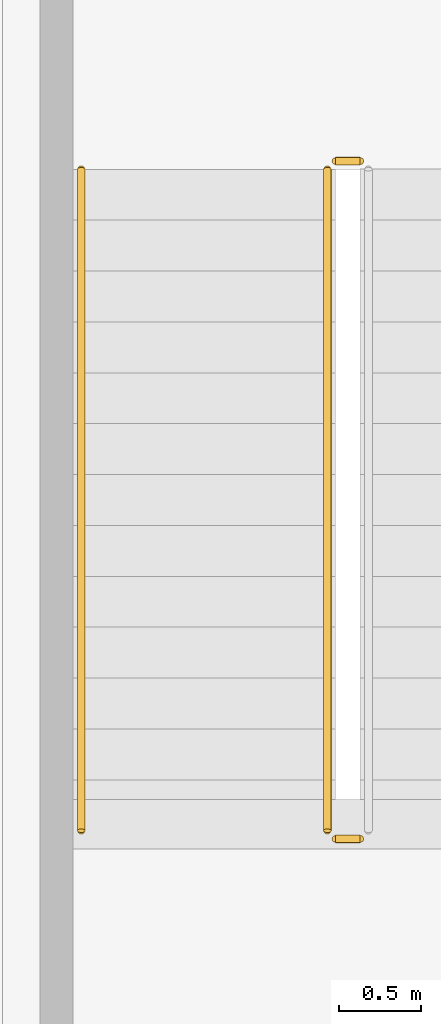
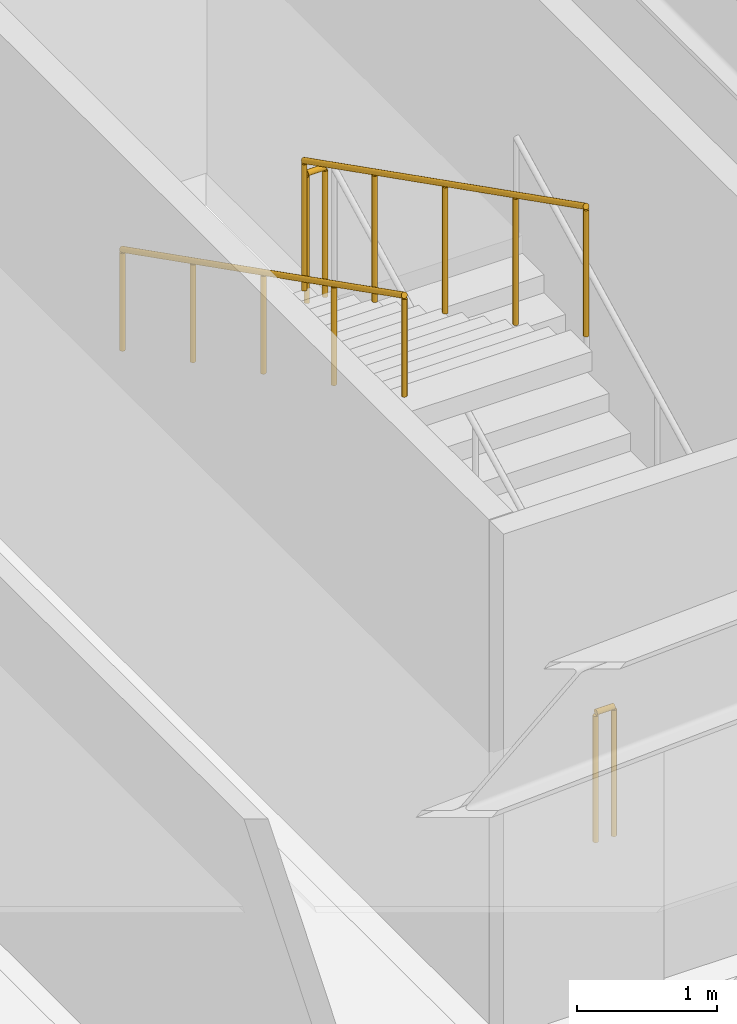
# One storey, part 19 of 24: 4 railings.
"""IFC4 building model written with IfcOpenShell, lengths in metres."""

from ifc_helpers import new_model, si_unit, direction, frame, origin, origin_2d, place, context, subcontext, project, spatial, circle, extrude, material, type_object, element, save


model = new_model("IFC4")

# Units and contexts
model_context = context("Model", 3, precision=1e-05, world=origin(), true_north=direction((0.0, 1.0)))
body_context = subcontext(model_context, "Body", "Model", "MODEL_VIEW")
ifc_project = project(units=[si_unit("LENGTHUNIT", "METRE"), si_unit("AREAUNIT", "SQUARE_METRE"), si_unit("VOLUMEUNIT", "CUBIC_METRE"), si_unit("PLANEANGLEUNIT", "RADIAN"), si_unit("MASSUNIT", "GRAM", prefix="KILO")], contexts=[model_context])

# Site, building, storey
site_placement = place(None, origin())
site = spatial("IfcSite", under=ifc_project, at=site_placement, CompositionType="ELEMENT")
building_placement = place(site_placement, origin())
building = spatial("IfcBuilding", under=site, at=building_placement, Name="Vaeldorn Concourse Tower", CompositionType="ELEMENT")
storey_placement = place(building_placement, frame((0.0, 0.0, 5.60009765625)))
storey = spatial("IfcBuildingStorey", under=building, at=storey_placement, Name="L01", CompositionType="ELEMENT", Elevation=5.60009765625)

# Railings
ifc_material = material(Name="Anodised Bronze Aluminium", Category="aluminium")
railing_type_1 = type_object("IfcRailingType", Name="RL-STAIR-GUARD", PredefinedType="GUARDRAIL", material=ifc_material)
railing_1_placement = place(storey_placement, frame((64.0, 8.929931640625, 2.199951171875)))
element("IfcRailing", 1, at=railing_1_placement, inside=storey, type_object=railing_type_1, Name="L01 ST-5 stair guard 2", PredefinedType="GUARDRAIL", context=body_context, shape_type="SweptSolid", body=[
    extrude(circle(Radius=0.02392578125, at=origin_2d()), frame((0.0, 0.0, 1.1259765625), z_axis=(-1.0, 0.0, 0.0), x_axis=(0.0, -1.0, 0.0)), (0.0, 0.0, 1.0), 0.14990234375),
    extrude(circle(Radius=0.02099609375, at=origin_2d()), origin(), (0.0, 0.0, 1.0), 1.101806640625),
    extrude(circle(Radius=0.02099609375, at=origin_2d()), frame((-0.14990234375, 0.0, 0.0)), (0.0, 0.0, 1.0), 1.101806640625),
])
railing_2_placement = place(storey_placement, frame((63.800048828125, 8.8798828125, 2.35693359375)))
element("IfcRailing", 2, at=railing_2_placement, inside=storey, type_object=railing_type_1, Name="L01 ST-5 stair guard 3", PredefinedType="GUARDRAIL", context=body_context, shape_type="SweptSolid", body=[
    extrude(circle(Radius=0.02392578125, at=origin_2d()), frame((0.0, 0.0, 1.1259765625), z_axis=(0.0, -0.891927692675, 0.452178052363), x_axis=(1.0, 0.0, 0.0)), (0.0, 0.0, 1.0), 4.51806640625),
    extrude(circle(Radius=0.02099609375, at=origin_2d()), origin(), (0.0, 0.0, 1.0), 1.101806640625),
    extrude(circle(Radius=0.02099609375, at=origin_2d()), frame((0.0, -1.00732421875, 0.5107421875)), (0.0, 0.0, 1.0), 1.101806640625),
    extrude(circle(Radius=0.02099609375, at=origin_2d()), frame((0.0, -2.014892578125, 1.021484375)), (0.0, 0.0, 1.0), 1.101806640625),
    extrude(circle(Radius=0.02099609375, at=origin_2d()), frame((0.0, -3.0224609375, 1.5322265625)), (0.0, 0.0, 1.0), 1.101806640625),
    extrude(circle(Radius=0.02099609375, at=origin_2d()), frame((0.0, -4.02978515625, 2.04296875)), (0.0, 0.0, 1.0), 1.101806640625),
])
railing_3_placement = place(storey_placement, frame((64.0, 4.800048828125, 0.0)))
element("IfcRailing", 3, at=railing_3_placement, inside=storey, type_object=railing_type_1, Name="L01 ST-5 stair guard 4", PredefinedType="GUARDRAIL", context=body_context, shape_type="SweptSolid", body=[
    extrude(circle(Radius=0.02392578125, at=origin_2d()), frame((0.0, 0.0, 1.1259765625), z_axis=(-1.0, 0.0, 0.0), x_axis=(0.0, -1.0, 0.0)), (0.0, 0.0, 1.0), 0.14990234375),
    extrude(circle(Radius=0.02099609375, at=origin_2d()), origin(), (0.0, 0.0, 1.0), 1.101806640625),
    extrude(circle(Radius=0.02099609375, at=origin_2d()), frame((-0.14990234375, 0.0, 0.0)), (0.0, 0.0, 1.0), 1.101806640625),
])
railing_type_2 = type_object("IfcRailingType", Name="RL-STAIR-HANDRAIL", PredefinedType="HANDRAIL", material=ifc_material)
railing_4_placement = place(storey_placement, frame((62.300048828125, 8.8798828125, 2.35693359375)))
element("IfcRailing", 4, at=railing_4_placement, inside=storey, type_object=railing_type_2, Name="L01 ST-5 stair handrail 2", PredefinedType="HANDRAIL", context=body_context, shape_type="SweptSolid", body=[
    extrude(circle(Radius=0.02392578125, at=origin_2d()), frame((0.0, 0.0, 0.8759765625), z_axis=(0.0, -0.891927692675, 0.452178052363), x_axis=(1.0, 0.0, 0.0)), (0.0, 0.0, 1.0), 4.51806640625),
    extrude(circle(Radius=0.02099609375, at=origin_2d()), origin(), (0.0, 0.0, 1.0), 0.851806640625),
    extrude(circle(Radius=0.02099609375, at=origin_2d()), frame((0.0, -1.00732421875, 0.5107421875)), (0.0, 0.0, 1.0), 0.851806640625),
    extrude(circle(Radius=0.02099609375, at=origin_2d()), frame((0.0, -2.014892578125, 1.021484375)), (0.0, 0.0, 1.0), 0.851806640625),
    extrude(circle(Radius=0.02099609375, at=origin_2d()), frame((0.0, -3.0224609375, 1.5322265625)), (0.0, 0.0, 1.0), 0.851806640625),
    extrude(circle(Radius=0.02099609375, at=origin_2d()), frame((0.0, -4.02978515625, 2.04296875)), (0.0, 0.0, 1.0), 0.851806640625),
])

save(model, "model.ifc")
